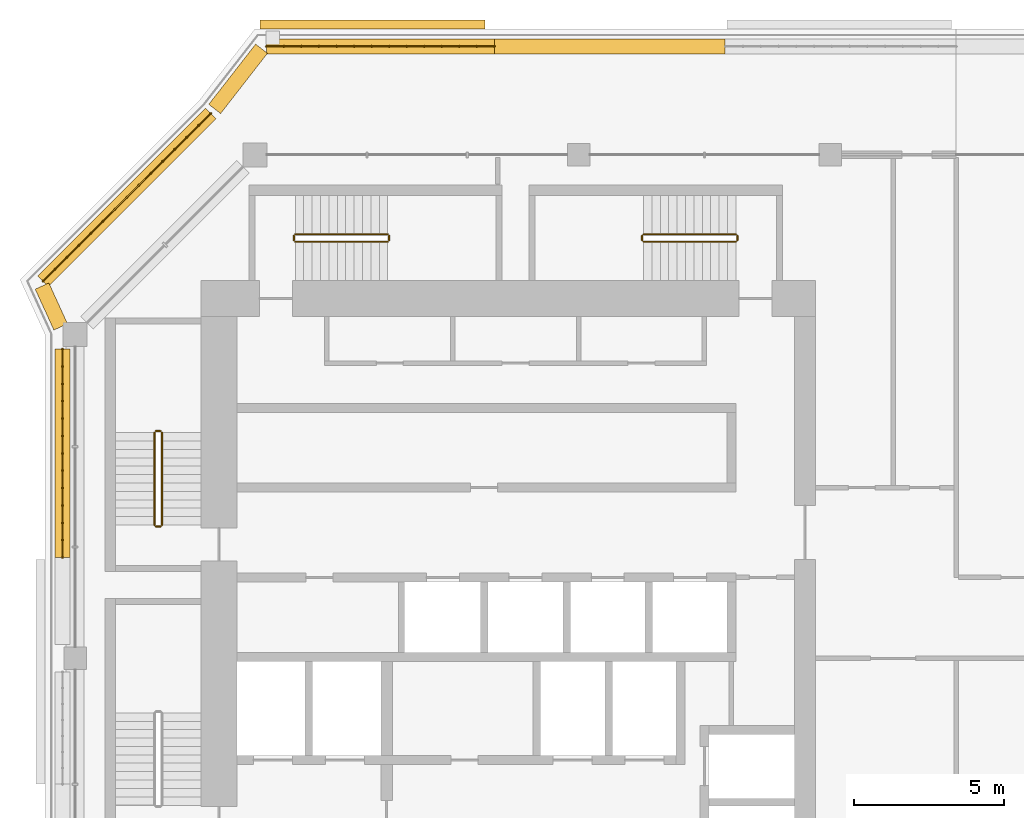
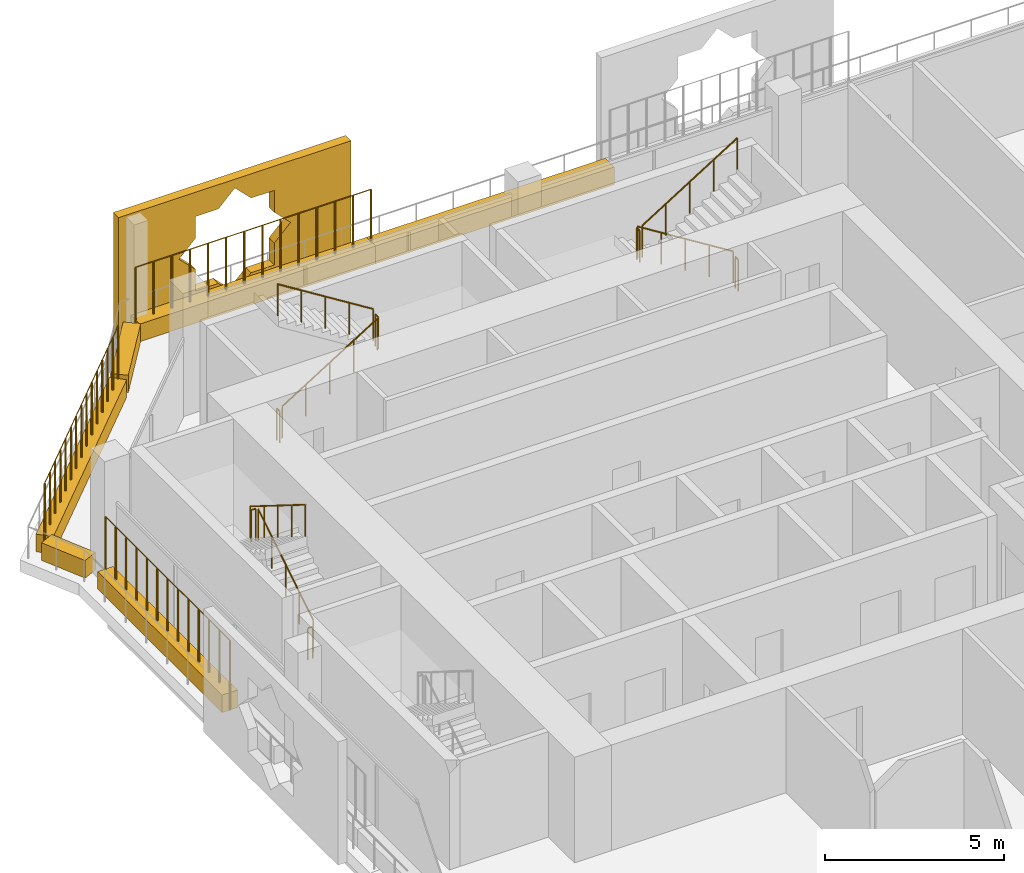
# One storey, part 19 of 21: 15 railings, 7 coverings.
"""IFC4 building model written with IfcOpenShell, lengths in metres."""

from ifc_helpers import new_model, si_unit, direction, frame, origin, origin_2d, place, context, subcontext, project, spatial, polyline, rectangle, circle, outline, extrude, material, material_profile, profile_set, type_object, element, save


model = new_model("IFC4")

# Units and contexts
model_context = context("Model", 3, precision=1e-05, world=origin(), true_north=direction((0.0, 1.0)))
body_context = subcontext(model_context, "Body", "Model", "MODEL_VIEW")
ifc_project = project(units=[si_unit("LENGTHUNIT", "METRE"), si_unit("AREAUNIT", "SQUARE_METRE"), si_unit("VOLUMEUNIT", "CUBIC_METRE"), si_unit("PLANEANGLEUNIT", "RADIAN"), si_unit("MASSUNIT", "GRAM", prefix="KILO")], contexts=[model_context])

# Site, building, storey
site_placement = place(None, origin())
site = spatial("IfcSite", under=ifc_project, at=site_placement, CompositionType="ELEMENT")
building_placement = place(site_placement, origin())
building = spatial("IfcBuilding", under=site, at=building_placement, Name="Kawkab Arch Medical Tower", CompositionType="ELEMENT")
storey_placement = place(building_placement, frame((0.0, 0.0, 315.39990234375)))
storey = spatial("IfcBuildingStorey", under=building, at=storey_placement, Name="L73", CompositionType="ELEMENT", Elevation=315.39990234375)

# Coverings
ifc_material_1 = material(Name="Bronze anodised aluminium mashrabiya panel, eight-point star pattern", Category="aluminium")
ifc_material_profile_1 = material_profile(ifc_material_1, outline(polyline([(-3.75, -2.10009765625), (3.75, -2.10009765625), (3.75, 2.10009765625), (-3.75, 2.10009765625), (-3.75, -2.10009765625)]), holes=[polyline([(1.800048828125, 0.0), (1.272705078125, 0.527099609375), (1.272705078125, 1.272705078125), (0.527099609375, 1.272705078125), (0.0, 1.800048828125), (-0.527099609375, 1.272705078125), (-1.272705078125, 1.272705078125), (-1.272705078125, 0.527099609375), (-1.800048828125, 0.0), (-1.272705078125, -0.527099609375), (-1.272705078125, -1.272705078125), (-0.527099609375, -1.272705078125), (0.0, -1.800048828125), (0.527099609375, -1.272705078125), (1.272705078125, -1.272705078125), (1.272705078125, -0.527099609375), (1.800048828125, 0.0)])]), Name="Mashrabiya panel 7500x4200")
ifc_profile_set_1 = profile_set([ifc_material_profile_1], Name="Bronze anodised aluminium mashrabiya panel, eight-point star pattern")
covering_type_1 = type_object("IfcCoveringType", Name="Mashrabiya panel 7500 x 4200", PredefinedType="USERDEFINED", material=ifc_profile_set_1)
covering_1_placement = place(storey_placement, frame((9.924072265625, 4.199951171875, 1.7001953125), z_axis=(0.0, 1.0, 0.0), x_axis=(-1.0, 0.0, 0.0)))
element("IfcCovering", 1, at=covering_1_placement, inside=storey, type_object=covering_type_1, Name="Mashrabiya panel L73.LOG-01-01.3", ObjectType="SCREEN", PredefinedType="USERDEFINED", context=body_context, shape_type="SweptSolid", body=[
    extrude(outline(polyline([(-3.75, -2.10009765625), (3.75, -2.10009765625), (3.75, 2.10009765625), (-3.75, 2.10009765625), (-3.75, -2.10009765625)]), holes=[polyline([(1.800048828125, 0.0), (1.272705078125, 0.527099609375), (1.272705078125, 1.272705078125), (0.527099609375, 1.272705078125), (0.0, 1.800048828125), (-0.527099609375, 1.272705078125), (-1.272705078125, 1.272705078125), (-1.272705078125, 0.527099609375), (-1.800048828125, 0.0), (-1.272705078125, -0.527099609375), (-1.272705078125, -1.272705078125), (-0.527099609375, -1.272705078125), (0.0, -1.800048828125), (0.527099609375, -1.272705078125), (1.272705078125, -1.272705078125), (1.272705078125, -0.527099609375), (1.800048828125, 0.0)])]), origin(), (0.0, 0.0, 1.0), 0.300048828125),
])
ifc_material_2 = material(Name="Planting soil in a precast trough", Category="concrete")
ifc_material_profile_2 = material_profile(ifc_material_2, rectangle(XDim=0.5, YDim=0.60009765625, at=origin_2d()), Name="Trough 500x600")
ifc_profile_set_2 = profile_set([ifc_material_profile_2], Name="Planting soil in a precast trough")
covering_type_2 = type_object("IfcCoveringType", Name="Planter trough 500 x 600", PredefinedType="USERDEFINED", material=ifc_profile_set_2)
covering_2_placement = place(storey_placement, frame((-0.419921875, -13.43701171875, 0.300048828125), z_axis=(0.0, 1.0, 0.0), x_axis=(-1.0, 0.0, 0.0)))
element("IfcCovering", 2, at=covering_2_placement, inside=storey, type_object=covering_type_2, Name="Planter L73.LOG-01-01.9", ObjectType="PLANTER", PredefinedType="USERDEFINED", context=body_context, shape_type="SweptSolid", body=[
    extrude(rectangle(XDim=0.5, YDim=0.60009765625, at=origin_2d()), origin(), (0.0, 0.0, 1.0), 6.95703125),
])
covering_3_placement = place(storey_placement, frame((-0.47998046875, -5.741943359375, 0.300048828125), z_axis=(-0.415189748133, 0.909734836667, 0.0), x_axis=(-0.909734836667, -0.415189748133, 0.0)))
element("IfcCovering", 3, at=covering_3_placement, inside=storey, type_object=covering_type_2, Name="Planter L73.LOG-01-01.10", ObjectType="PLANTER", PredefinedType="USERDEFINED", context=body_context, shape_type="SweptSolid", body=[
    extrude(rectangle(XDim=0.5, YDim=0.60009765625, at=origin_2d()), origin(), (0.0, 0.0, 1.0), 1.498291015625),
])
covering_4_placement = place(storey_placement, frame((-1.072998046875, -4.217041015625, 0.300048828125), z_axis=(0.707106781187, 0.707106781187, 0.0), x_axis=(-0.707106781187, 0.707106781187, 0.0)))
element("IfcCovering", 4, at=covering_4_placement, inside=storey, type_object=covering_type_2, Name="Planter L73.LOG-01-01.11", ObjectType="PLANTER", PredefinedType="USERDEFINED", context=body_context, shape_type="SweptSolid", body=[
    extrude(rectangle(XDim=0.5, YDim=0.60009765625, at=origin_2d()), origin(), (0.0, 0.0, 1.0), 7.919677734375),
])
covering_5_placement = place(storey_placement, frame((4.658935546875, 1.531982421875, 0.300048828125), z_axis=(0.61404021143, 0.789274742246, 0.0), x_axis=(-0.789274742246, 0.61404021143, 0.0)))
element("IfcCovering", 5, at=covering_5_placement, inside=storey, type_object=covering_type_2, Name="Planter L73.LOG-01-01.12", ObjectType="PLANTER", PredefinedType="USERDEFINED", context=body_context, shape_type="SweptSolid", body=[
    extrude(rectangle(XDim=0.5, YDim=0.60009765625, at=origin_2d()), origin(), (0.0, 0.0, 1.0), 2.54541015625),
])
covering_6_placement = place(storey_placement, frame((6.384033203125, 3.6201171875, 0.300048828125), z_axis=(1.0, 0.0, 0.0), x_axis=(0.0, 1.0, 0.0)))
element("IfcCovering", 6, at=covering_6_placement, inside=storey, type_object=covering_type_2, Name="Planter L73.LOG-01-01.13", ObjectType="PLANTER", PredefinedType="USERDEFINED", context=body_context, shape_type="SweptSolid", body=[
    extrude(rectangle(XDim=0.5, YDim=0.60009765625, at=origin_2d()), origin(), (0.0, 0.0, 1.0), 7.60498046875),
])
covering_7_placement = place(storey_placement, frame((13.989013671875, 3.6201171875, 0.300048828125), z_axis=(1.0, 0.0, 0.0), x_axis=(0.0, 1.0, 0.0)))
element("IfcCovering", 7, at=covering_7_placement, inside=storey, type_object=covering_type_2, Name="Planter L73.LOG-01-01.14", ObjectType="PLANTER", PredefinedType="USERDEFINED", context=body_context, shape_type="SweptSolid", body=[
    extrude(rectangle(XDim=0.5, YDim=0.60009765625, at=origin_2d()), origin(), (0.0, 0.0, 1.0), 7.7060546875),
])

# Railings
ifc_material_3 = material(Name="Bronze anodised aluminium trellis for climbing plants", Category="aluminium")
railing_type_1 = type_object("IfcRailingType", Name="Planting trellis 2400", PredefinedType="USERDEFINED", material=ifc_material_3)
railing_1_placement = place(storey_placement, frame((-0.419921875, -13.43701171875, 0.0)))
element("IfcRailing", 8, at=railing_1_placement, inside=storey, type_object=railing_type_1, Name="Planting trellis L73.LOG-01-01.9", ObjectType="TRELLIS", PredefinedType="USERDEFINED", context=body_context, shape_type="SweptSolid", body=[
    extrude(circle(Radius=0.01513671875, at=origin_2d()), frame((0.0, 0.0, 2.384765625), z_axis=(0.0, 1.0, 0.0), x_axis=(-1.0, 0.0, 0.0)), (0.0, 0.0, 1.0), 6.95703125),
    extrude(circle(Radius=0.030029296875, at=origin_2d()), origin(), (0.0, 0.0, 1.0), 2.369873046875),
    extrude(circle(Radius=0.030029296875, at=origin_2d()), frame((0.0, 0.579833984375, 0.0)), (0.0, 0.0, 1.0), 2.369873046875),
    extrude(circle(Radius=0.030029296875, at=origin_2d()), frame((0.0, 1.159423828125, 0.0)), (0.0, 0.0, 1.0), 2.369873046875),
    extrude(circle(Radius=0.030029296875, at=origin_2d()), frame((0.0, 1.7392578125, 0.0)), (0.0, 0.0, 1.0), 2.369873046875),
    extrude(circle(Radius=0.030029296875, at=origin_2d()), frame((0.0, 2.319091796875, 0.0)), (0.0, 0.0, 1.0), 2.369873046875),
    extrude(circle(Radius=0.030029296875, at=origin_2d()), frame((0.0, 2.898681640625, 0.0)), (0.0, 0.0, 1.0), 2.369873046875),
    extrude(circle(Radius=0.030029296875, at=origin_2d()), frame((0.0, 3.478515625, 0.0)), (0.0, 0.0, 1.0), 2.369873046875),
    extrude(circle(Radius=0.030029296875, at=origin_2d()), frame((0.0, 4.058349609375, 0.0)), (0.0, 0.0, 1.0), 2.369873046875),
    extrude(circle(Radius=0.030029296875, at=origin_2d()), frame((0.0, 4.637939453125, 0.0)), (0.0, 0.0, 1.0), 2.369873046875),
    extrude(circle(Radius=0.030029296875, at=origin_2d()), frame((0.0, 5.2177734375, 0.0)), (0.0, 0.0, 1.0), 2.369873046875),
    extrude(circle(Radius=0.030029296875, at=origin_2d()), frame((0.0, 5.797607421875, 0.0)), (0.0, 0.0, 1.0), 2.369873046875),
    extrude(circle(Radius=0.030029296875, at=origin_2d()), frame((0.0, 6.377197265625, 0.0)), (0.0, 0.0, 1.0), 2.369873046875),
    extrude(circle(Radius=0.030029296875, at=origin_2d()), frame((0.0, 6.95703125, 0.0)), (0.0, 0.0, 1.0), 2.369873046875),
])
railing_2_placement = place(storey_placement, frame((-1.072998046875, -4.217041015625, 0.0)))
element("IfcRailing", 9, at=railing_2_placement, inside=storey, type_object=railing_type_1, Name="Planting trellis L73.LOG-01-01.11", ObjectType="TRELLIS", PredefinedType="USERDEFINED", context=body_context, shape_type="SweptSolid", body=[
    extrude(circle(Radius=0.01513671875, at=origin_2d()), frame((0.0, 0.0, 2.384765625), z_axis=(0.707106781187, 0.707106781187, 0.0), x_axis=(-0.707106781187, 0.707106781187, 0.0)), (0.0, 0.0, 1.0), 7.919677734375),
    extrude(circle(Radius=0.030029296875, at=origin_2d()), origin(), (0.0, 0.0, 1.0), 2.369873046875),
    extrude(circle(Radius=0.030029296875, at=origin_2d()), frame((0.39990234375, 0.39990234375, 0.0)), (0.0, 0.0, 1.0), 2.369873046875),
    extrude(circle(Radius=0.030029296875, at=origin_2d()), frame((0.800048828125, 0.800048828125, 0.0)), (0.0, 0.0, 1.0), 2.369873046875),
    extrude(circle(Radius=0.030029296875, at=origin_2d()), frame((1.199951171875, 1.199951171875, 0.0)), (0.0, 0.0, 1.0), 2.369873046875),
    extrude(circle(Radius=0.030029296875, at=origin_2d()), frame((1.60009765625, 1.60009765625, 0.0)), (0.0, 0.0, 1.0), 2.369873046875),
    extrude(circle(Radius=0.030029296875, at=origin_2d()), frame((2.0, 2.0, 0.0)), (0.0, 0.0, 1.0), 2.369873046875),
    extrude(circle(Radius=0.030029296875, at=origin_2d()), frame((2.400146484375, 2.400146484375, 0.0)), (0.0, 0.0, 1.0), 2.369873046875),
    extrude(circle(Radius=0.030029296875, at=origin_2d()), frame((2.800048828125, 2.800048828125, 0.0)), (0.0, 0.0, 1.0), 2.369873046875),
    extrude(circle(Radius=0.030029296875, at=origin_2d()), frame((3.199951171875, 3.199951171875, 0.0)), (0.0, 0.0, 1.0), 2.369873046875),
    extrude(circle(Radius=0.030029296875, at=origin_2d()), frame((3.60009765625, 3.60009765625, 0.0)), (0.0, 0.0, 1.0), 2.369873046875),
    extrude(circle(Radius=0.030029296875, at=origin_2d()), frame((4.0, 4.0, 0.0)), (0.0, 0.0, 1.0), 2.369873046875),
    extrude(circle(Radius=0.030029296875, at=origin_2d()), frame((4.400146484375, 4.400146484375, 0.0)), (0.0, 0.0, 1.0), 2.369873046875),
    extrude(circle(Radius=0.030029296875, at=origin_2d()), frame((4.800048828125, 4.800048828125, 0.0)), (0.0, 0.0, 1.0), 2.369873046875),
    extrude(circle(Radius=0.030029296875, at=origin_2d()), frame((5.2001953125, 5.2001953125, 0.0)), (0.0, 0.0, 1.0), 2.369873046875),
    extrude(circle(Radius=0.030029296875, at=origin_2d()), frame((5.60009765625, 5.60009765625, 0.0)), (0.0, 0.0, 1.0), 2.369873046875),
])
railing_3_placement = place(storey_placement, frame((6.384033203125, 3.6201171875, 0.0)))
element("IfcRailing", 10, at=railing_3_placement, inside=storey, type_object=railing_type_1, Name="Planting trellis L73.LOG-01-01.13", ObjectType="TRELLIS", PredefinedType="USERDEFINED", context=body_context, shape_type="SweptSolid", body=[
    extrude(circle(Radius=0.01513671875, at=origin_2d()), frame((0.0, 0.0, 2.384765625), z_axis=(1.0, 0.0, 0.0), x_axis=(0.0, 1.0, 0.0)), (0.0, 0.0, 1.0), 7.60498046875),
    extrude(circle(Radius=0.030029296875, at=origin_2d()), origin(), (0.0, 0.0, 1.0), 2.369873046875),
    extrude(circle(Radius=0.030029296875, at=origin_2d()), frame((0.5849609375, 0.0, 0.0)), (0.0, 0.0, 1.0), 2.369873046875),
    extrude(circle(Radius=0.030029296875, at=origin_2d()), frame((1.169921875, 0.0, 0.0)), (0.0, 0.0, 1.0), 2.369873046875),
    extrude(circle(Radius=0.030029296875, at=origin_2d()), frame((1.7548828125, 0.0, 0.0)), (0.0, 0.0, 1.0), 2.369873046875),
    extrude(circle(Radius=0.030029296875, at=origin_2d()), frame((2.340087890625, 0.0, 0.0)), (0.0, 0.0, 1.0), 2.369873046875),
    extrude(circle(Radius=0.030029296875, at=origin_2d()), frame((2.925048828125, 0.0, 0.0)), (0.0, 0.0, 1.0), 2.369873046875),
    extrude(circle(Radius=0.030029296875, at=origin_2d()), frame((3.510009765625, 0.0, 0.0)), (0.0, 0.0, 1.0), 2.369873046875),
    extrude(circle(Radius=0.030029296875, at=origin_2d()), frame((4.094970703125, 0.0, 0.0)), (0.0, 0.0, 1.0), 2.369873046875),
    extrude(circle(Radius=0.030029296875, at=origin_2d()), frame((4.679931640625, 0.0, 0.0)), (0.0, 0.0, 1.0), 2.369873046875),
    extrude(circle(Radius=0.030029296875, at=origin_2d()), frame((5.264892578125, 0.0, 0.0)), (0.0, 0.0, 1.0), 2.369873046875),
    extrude(circle(Radius=0.030029296875, at=origin_2d()), frame((5.85009765625, 0.0, 0.0)), (0.0, 0.0, 1.0), 2.369873046875),
    extrude(circle(Radius=0.030029296875, at=origin_2d()), frame((6.43505859375, 0.0, 0.0)), (0.0, 0.0, 1.0), 2.369873046875),
    extrude(circle(Radius=0.030029296875, at=origin_2d()), frame((7.02001953125, 0.0, 0.0)), (0.0, 0.0, 1.0), 2.369873046875),
    extrude(circle(Radius=0.030029296875, at=origin_2d()), frame((7.60498046875, 0.0, 0.0)), (0.0, 0.0, 1.0), 2.369873046875),
])
ifc_material_4 = material(Name="Stainless steel", Category="steel")
railing_type_2 = type_object("IfcRailingType", Name="Stair guard 1100", PredefinedType="GUARDRAIL", material=ifc_material_4)
railing_4_placement = place(storey_placement, frame((2.89990234375, -12.35009765625, 0.175048828125)))
element("IfcRailing", 11, at=railing_4_placement, inside=storey, type_object=railing_type_2, Name="L73 ST1 stair guard 1", PredefinedType="GUARDRAIL", context=body_context, shape_type="SweptSolid", body=[
    extrude(circle(Radius=0.02392578125, at=origin_2d()), frame((0.0, 0.0, 1.076171875), z_axis=(0.0, 0.847998304005, 0.529998940003), x_axis=(-1.0, 0.0, 0.0)), (0.0, 0.0, 1.0), 3.632080078125),
    extrude(circle(Radius=0.02099609375, at=origin_2d()), origin(), (0.0, 0.0, 1.0), 1.052001953125),
    extrude(circle(Radius=0.02099609375, at=origin_2d()), frame((0.0, 0.77001953125, 0.481201171875)), (0.0, 0.0, 1.0), 1.052001953125),
    extrude(circle(Radius=0.02099609375, at=origin_2d()), frame((0.0, 1.5400390625, 0.96240234375)), (0.0, 0.0, 1.0), 1.052001953125),
    extrude(circle(Radius=0.02099609375, at=origin_2d()), frame((0.0, 2.31005859375, 1.44384765625)), (0.0, 0.0, 1.0), 1.052001953125),
    extrude(circle(Radius=0.02099609375, at=origin_2d()), frame((0.0, 3.080078125, 1.925048828125)), (0.0, 0.0, 1.0), 1.052001953125),
])
railing_5_placement = place(storey_placement, frame((2.85009765625, -9.219970703125, 2.10009765625)))
element("IfcRailing", 12, at=railing_5_placement, inside=storey, type_object=railing_type_2, Name="L73 ST1 stair guard 2", PredefinedType="GUARDRAIL", context=body_context, shape_type="SweptSolid", body=[
    extrude(circle(Radius=0.02392578125, at=origin_2d()), frame((0.0, 0.0, 1.076171875), z_axis=(-1.0, 0.0, 0.0), x_axis=(0.0, -1.0, 0.0)), (0.0, 0.0, 1.0), 0.150146484375),
    extrude(circle(Radius=0.02099609375, at=origin_2d()), origin(), (0.0, 0.0, 1.0), 1.052001953125),
    extrude(circle(Radius=0.02099609375, at=origin_2d()), frame((-0.150146484375, 0.0, 0.0)), (0.0, 0.0, 1.0), 1.052001953125),
])
railing_6_placement = place(storey_placement, frame((2.64990234375, -9.27001953125, 2.275146484375)))
element("IfcRailing", 13, at=railing_6_placement, inside=storey, type_object=railing_type_2, Name="L73 ST1 stair guard 3", PredefinedType="GUARDRAIL", context=body_context, shape_type="SweptSolid", body=[
    extrude(circle(Radius=0.02392578125, at=origin_2d()), frame((0.0, 0.0, 1.076171875), z_axis=(0.0, -0.847998304005, 0.529998940003), x_axis=(1.0, 0.0, 0.0)), (0.0, 0.0, 1.0), 3.632080078125),
    extrude(circle(Radius=0.02099609375, at=origin_2d()), origin(), (0.0, 0.0, 1.0), 1.052001953125),
    extrude(circle(Radius=0.02099609375, at=origin_2d()), frame((0.0, -0.77001953125, 0.481201171875)), (0.0, 0.0, 1.0), 1.052001953125),
    extrude(circle(Radius=0.02099609375, at=origin_2d()), frame((0.0, -1.5400390625, 0.96240234375)), (0.0, 0.0, 1.0), 1.052001953125),
    extrude(circle(Radius=0.02099609375, at=origin_2d()), frame((0.0, -2.31005859375, 1.44384765625)), (0.0, 0.0, 1.0), 1.052001953125),
    extrude(circle(Radius=0.02099609375, at=origin_2d()), frame((0.0, -3.080078125, 1.925048828125)), (0.0, 0.0, 1.0), 1.052001953125),
])
railing_7_placement = place(storey_placement, frame((2.85009765625, -12.39990234375, 0.0)))
element("IfcRailing", 14, at=railing_7_placement, inside=storey, type_object=railing_type_2, Name="L73 ST1 stair guard 4", PredefinedType="GUARDRAIL", context=body_context, shape_type="SweptSolid", body=[
    extrude(circle(Radius=0.02392578125, at=origin_2d()), frame((0.0, 0.0, 1.076171875), z_axis=(-1.0, 0.0, 0.0), x_axis=(0.0, -1.0, 0.0)), (0.0, 0.0, 1.0), 0.150146484375),
    extrude(circle(Radius=0.02099609375, at=origin_2d()), origin(), (0.0, 0.0, 1.0), 1.052001953125),
    extrude(circle(Radius=0.02099609375, at=origin_2d()), frame((-0.150146484375, 0.0, 0.0)), (0.0, 0.0, 1.0), 1.052001953125),
])
railing_8_placement = place(storey_placement, frame((7.35009765625, -2.89990234375, 0.175048828125)))
element("IfcRailing", 15, at=railing_8_placement, inside=storey, type_object=railing_type_2, Name="L73 ST3 stair guard 1", PredefinedType="GUARDRAIL", context=body_context, shape_type="SweptSolid", body=[
    extrude(circle(Radius=0.02392578125, at=origin_2d()), frame((0.0, 0.0, 1.076171875), z_axis=(0.847979421464, 0.0, 0.530029150871), x_axis=(0.0, 1.0, 0.0)), (0.0, 0.0, 1.0), 3.632080078125),
    extrude(circle(Radius=0.02099609375, at=origin_2d()), origin(), (0.0, 0.0, 1.0), 1.052001953125),
    extrude(circle(Radius=0.02099609375, at=origin_2d()), frame((0.77001953125, 0.0, 0.481201171875)), (0.0, 0.0, 1.0), 1.052001953125),
    extrude(circle(Radius=0.02099609375, at=origin_2d()), frame((1.5400390625, 0.0, 0.96240234375)), (0.0, 0.0, 1.0), 1.052001953125),
    extrude(circle(Radius=0.02099609375, at=origin_2d()), frame((2.309814453125, 0.0, 1.44384765625)), (0.0, 0.0, 1.0), 1.052001953125),
    extrude(circle(Radius=0.02099609375, at=origin_2d()), frame((3.079833984375, 0.0, 1.925048828125)), (0.0, 0.0, 1.0), 1.052001953125),
])
railing_9_placement = place(storey_placement, frame((10.47998046875, -2.85009765625, 2.10009765625)))
element("IfcRailing", 16, at=railing_9_placement, inside=storey, type_object=railing_type_2, Name="L73 ST3 stair guard 2", PredefinedType="GUARDRAIL", context=body_context, shape_type="SweptSolid", body=[
    extrude(circle(Radius=0.02392578125, at=origin_2d()), frame((0.0, 0.0, 1.076171875), z_axis=(0.0, 1.0, 0.0), x_axis=(-1.0, 0.0, 0.0)), (0.0, 0.0, 1.0), 0.150146484375),
    extrude(circle(Radius=0.02099609375, at=origin_2d()), origin(), (0.0, 0.0, 1.0), 1.052001953125),
    extrude(circle(Radius=0.02099609375, at=origin_2d()), frame((0.0, 0.150146484375, 0.0)), (0.0, 0.0, 1.0), 1.052001953125),
])
railing_10_placement = place(storey_placement, frame((10.429931640625, -2.64990234375, 2.275146484375)))
element("IfcRailing", 17, at=railing_10_placement, inside=storey, type_object=railing_type_2, Name="L73 ST3 stair guard 3", PredefinedType="GUARDRAIL", context=body_context, shape_type="SweptSolid", body=[
    extrude(circle(Radius=0.02392578125, at=origin_2d()), frame((0.0, 0.0, 1.076171875), z_axis=(-0.847979421464, 0.0, 0.530029150871), x_axis=(0.0, -1.0, 0.0)), (0.0, 0.0, 1.0), 3.632080078125),
    extrude(circle(Radius=0.02099609375, at=origin_2d()), origin(), (0.0, 0.0, 1.0), 1.052001953125),
    extrude(circle(Radius=0.02099609375, at=origin_2d()), frame((-0.77001953125, 0.0, 0.481201171875)), (0.0, 0.0, 1.0), 1.052001953125),
    extrude(circle(Radius=0.02099609375, at=origin_2d()), frame((-1.5400390625, 0.0, 0.96240234375)), (0.0, 0.0, 1.0), 1.052001953125),
    extrude(circle(Radius=0.02099609375, at=origin_2d()), frame((-2.309814453125, 0.0, 1.44384765625)), (0.0, 0.0, 1.0), 1.052001953125),
    extrude(circle(Radius=0.02099609375, at=origin_2d()), frame((-3.079833984375, 0.0, 1.925048828125)), (0.0, 0.0, 1.0), 1.052001953125),
])
railing_11_placement = place(storey_placement, frame((7.300048828125, -2.85009765625, 0.0)))
element("IfcRailing", 18, at=railing_11_placement, inside=storey, type_object=railing_type_2, Name="L73 ST3 stair guard 4", PredefinedType="GUARDRAIL", context=body_context, shape_type="SweptSolid", body=[
    extrude(circle(Radius=0.02392578125, at=origin_2d()), frame((0.0, 0.0, 1.076171875), z_axis=(0.0, 1.0, 0.0), x_axis=(-1.0, 0.0, 0.0)), (0.0, 0.0, 1.0), 0.150146484375),
    extrude(circle(Radius=0.02099609375, at=origin_2d()), origin(), (0.0, 0.0, 1.0), 1.052001953125),
    extrude(circle(Radius=0.02099609375, at=origin_2d()), frame((0.0, 0.150146484375, 0.0)), (0.0, 0.0, 1.0), 1.052001953125),
])
railing_12_placement = place(storey_placement, frame((22.050048828125, -2.64990234375, 0.175048828125)))
element("IfcRailing", 19, at=railing_12_placement, inside=storey, type_object=railing_type_2, Name="L73 ST4 stair guard 1", PredefinedType="GUARDRAIL", context=body_context, shape_type="SweptSolid", body=[
    extrude(circle(Radius=0.02392578125, at=origin_2d()), frame((0.0, 0.0, 1.076171875), z_axis=(-0.847998304005, 0.0, 0.529998940003), x_axis=(0.0, -1.0, 0.0)), (0.0, 0.0, 1.0), 3.632080078125),
    extrude(circle(Radius=0.02099609375, at=origin_2d()), origin(), (0.0, 0.0, 1.0), 1.052001953125),
    extrude(circle(Radius=0.02099609375, at=origin_2d()), frame((-0.77001953125, 0.0, 0.481201171875)), (0.0, 0.0, 1.0), 1.052001953125),
    extrude(circle(Radius=0.02099609375, at=origin_2d()), frame((-1.5400390625, 0.0, 0.96240234375)), (0.0, 0.0, 1.0), 1.052001953125),
    extrude(circle(Radius=0.02099609375, at=origin_2d()), frame((-2.31005859375, 0.0, 1.44384765625)), (0.0, 0.0, 1.0), 1.052001953125),
    extrude(circle(Radius=0.02099609375, at=origin_2d()), frame((-3.080078125, 0.0, 1.925048828125)), (0.0, 0.0, 1.0), 1.052001953125),
])
railing_13_placement = place(storey_placement, frame((18.919921875, -2.699951171875, 2.10009765625)))
element("IfcRailing", 20, at=railing_13_placement, inside=storey, type_object=railing_type_2, Name="L73 ST4 stair guard 2", PredefinedType="GUARDRAIL", context=body_context, shape_type="SweptSolid", body=[
    extrude(circle(Radius=0.02392578125, at=origin_2d()), frame((0.0, 0.0, 1.076171875), z_axis=(0.0, -1.0, 0.0), x_axis=(1.0, 0.0, 0.0)), (0.0, 0.0, 1.0), 0.150146484375),
    extrude(circle(Radius=0.02099609375, at=origin_2d()), origin(), (0.0, 0.0, 1.0), 1.052001953125),
    extrude(circle(Radius=0.02099609375, at=origin_2d()), frame((0.0, -0.150146484375, 0.0)), (0.0, 0.0, 1.0), 1.052001953125),
])
railing_14_placement = place(storey_placement, frame((18.969970703125, -2.89990234375, 2.275146484375)))
element("IfcRailing", 21, at=railing_14_placement, inside=storey, type_object=railing_type_2, Name="L73 ST4 stair guard 3", PredefinedType="GUARDRAIL", context=body_context, shape_type="SweptSolid", body=[
    extrude(circle(Radius=0.02392578125, at=origin_2d()), frame((0.0, 0.0, 1.076171875), z_axis=(0.847998304005, 0.0, 0.529998940003), x_axis=(0.0, 1.0, 0.0)), (0.0, 0.0, 1.0), 3.632080078125),
    extrude(circle(Radius=0.02099609375, at=origin_2d()), origin(), (0.0, 0.0, 1.0), 1.052001953125),
    extrude(circle(Radius=0.02099609375, at=origin_2d()), frame((0.77001953125, 0.0, 0.481201171875)), (0.0, 0.0, 1.0), 1.052001953125),
    extrude(circle(Radius=0.02099609375, at=origin_2d()), frame((1.5400390625, 0.0, 0.96240234375)), (0.0, 0.0, 1.0), 1.052001953125),
    extrude(circle(Radius=0.02099609375, at=origin_2d()), frame((2.31005859375, 0.0, 1.44384765625)), (0.0, 0.0, 1.0), 1.052001953125),
    extrude(circle(Radius=0.02099609375, at=origin_2d()), frame((3.080078125, 0.0, 1.925048828125)), (0.0, 0.0, 1.0), 1.052001953125),
])
railing_15_placement = place(storey_placement, frame((22.10009765625, -2.699951171875, 0.0)))
element("IfcRailing", 22, at=railing_15_placement, inside=storey, type_object=railing_type_2, Name="L73 ST4 stair guard 4", PredefinedType="GUARDRAIL", context=body_context, shape_type="SweptSolid", body=[
    extrude(circle(Radius=0.02392578125, at=origin_2d()), frame((0.0, 0.0, 1.076171875), z_axis=(0.0, -1.0, 0.0), x_axis=(1.0, 0.0, 0.0)), (0.0, 0.0, 1.0), 0.150146484375),
    extrude(circle(Radius=0.02099609375, at=origin_2d()), origin(), (0.0, 0.0, 1.0), 1.052001953125),
    extrude(circle(Radius=0.02099609375, at=origin_2d()), frame((0.0, -0.150146484375, 0.0)), (0.0, 0.0, 1.0), 1.052001953125),
])

save(model, "model.ifc")
